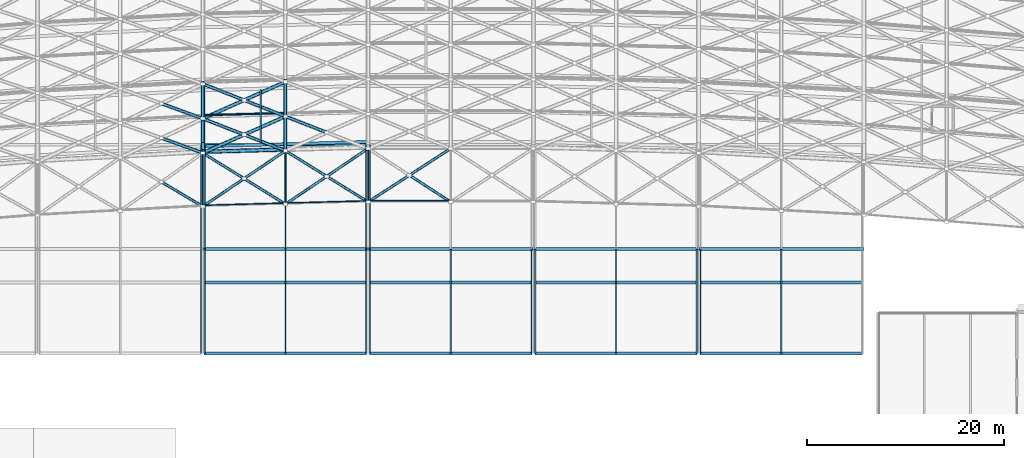
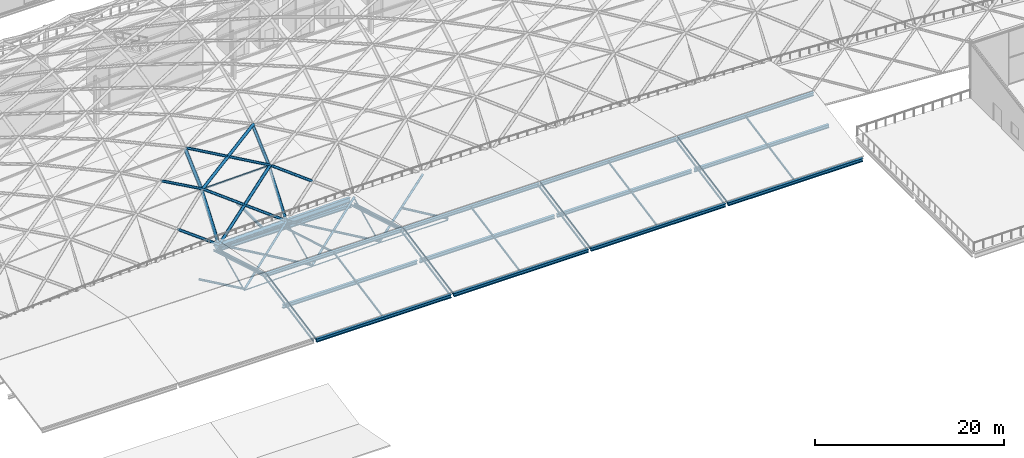
# One storey, part 17 of 100: 48 members, 15 beams.
"""IFC4 building model written with IfcOpenShell, lengths in metres."""

import ifcopenshell
import ifcopenshell.guid

model = None  # the IFC model being written
_history = None  # IfcOwnerHistory: only IFC2X3 demands one
_inside = {}  # id of a spatial element -> (the spatial element, [elements in it])
_under = {}  # id of a project, library or spatial element -> (it, [spatial elements below it])
_declared = {}  # id of a project -> (the project, [libraries it declares])
_typed = {}  # id of a type object -> (the type object, [elements of that type])
_made_of = {}  # id of a material, layer set ... -> (it, [elements and type objects made of it])


def new_model(schema):
    """Start an empty IFC model of exactly this schema.

    Asked for "IFC4X3", IfcOpenShell would pick the latest addendum, in which some entities
    have other attributes; the version numbers below select the first issue.
    IFC2X3 requires an IfcOwnerHistory on every rooted entity: one is made here for all.
    """
    global model, _history
    if schema == "IFC4X3":
        model = ifcopenshell.file(schema_version=(4, 3, 0, 0))
    else:
        model = ifcopenshell.file(schema=schema)
    _inside.clear()
    _under.clear()
    _declared.clear()
    _typed.clear()
    _made_of.clear()
    _history = None
    if model.schema == "IFC2X3":
        org = make("IfcOrganization", Name="unknown")
        user = make(
            "IfcPersonAndOrganization",
            ThePerson=make("IfcPerson", FamilyName="unknown"),
            TheOrganization=org,
        )
        app = make(
            "IfcApplication",
            ApplicationDeveloper=org,
            Version="unknown",
            ApplicationFullName="unknown",
            ApplicationIdentifier="unknown",
        )
        _history = make(
            "IfcOwnerHistory",
            OwningUser=user,
            OwningApplication=app,
            ChangeAction="ADDED",
            CreationDate=0,
        )
    return model


def make(cls, **values):
    """One entity of the class cls with the attributes given. An attribute that is None is left unset."""
    return model.create_entity(
        cls, **{name: value for name, value in values.items() if value is not None}
    )


def rooted(cls, **values):
    """An entity with a GlobalId (a new one), such as an element, a storey or a relation."""
    return make(cls, GlobalId=ifcopenshell.guid.new(), OwnerHistory=_history, **values)


def si_unit(unit_type, name, prefix=None):
    """IfcSIUnit, for example si_unit("LENGTHUNIT", "METRE", prefix="MILLI")."""
    return make("IfcSIUnit", UnitType=unit_type, Prefix=prefix, Name=name)


def assignment(units):
    """IfcUnitAssignment: the units of a project."""
    return None if units is None else make("IfcUnitAssignment", Units=units)


def point(xyz):
    """IfcCartesianPoint."""
    return None if xyz is None else make("IfcCartesianPoint", Coordinates=xyz)


def direction(xyz):
    """IfcDirection."""
    return None if xyz is None else make("IfcDirection", DirectionRatios=xyz)


def frame(location, z_axis=None, x_axis=None):
    """IfcAxis2Placement3D, a coordinate frame: its origin and axes. An axis left out is left unset."""
    return make(
        "IfcAxis2Placement3D",
        Location=point(location),
        Axis=direction(z_axis),
        RefDirection=direction(x_axis),
    )


def frame_2d(location, x_axis=None):
    """IfcAxis2Placement2D, a coordinate frame in the plane: its origin and x axis."""
    return make(
        "IfcAxis2Placement2D", Location=point(location), RefDirection=direction(x_axis)
    )


def origin():
    """The frame at (0, 0, 0) with its axes left unset."""
    return frame((0.0, 0.0, 0.0))


def origin_2d():
    """The frame at (0, 0) in the plane with its x axis left unset."""
    return frame_2d((0.0, 0.0))


def place(relative_to, where):
    """IfcLocalPlacement: puts the frame where relative to a parent placement (None: the world)."""
    return make(
        "IfcLocalPlacement", PlacementRelTo=relative_to, RelativePlacement=where
    )


def context(
    kind, dimensions, precision=None, world=None, true_north=None, identifier=None
):
    """IfcGeometricRepresentationContext, for example the 3D "Model" context."""
    return make(
        "IfcGeometricRepresentationContext",
        ContextIdentifier=identifier,
        ContextType=kind,
        CoordinateSpaceDimension=dimensions,
        Precision=precision,
        WorldCoordinateSystem=world,
        TrueNorth=true_north,
    )


def subcontext(parent, identifier, kind, view, scale=None):
    """IfcGeometricRepresentationSubContext, for example "Body" below "Model"."""
    return make(
        "IfcGeometricRepresentationSubContext",
        ContextIdentifier=identifier,
        ContextType=kind,
        ParentContext=parent,
        TargetScale=scale,
        TargetView=view,
    )


def project(units=None, contexts=None):
    """IfcProject with its units and contexts."""
    return rooted(
        "IfcProject",
        Name="project",
        RepresentationContexts=contexts,
        UnitsInContext=assignment(units),
    )


def spatial(cls, under=None, at=None, **own):
    """A site, building, storey or space (cls), placed at a placement, below another one or the project."""
    s = rooted(cls, ObjectPlacement=at, **own)
    if under is not None:
        _under.setdefault(under.id(), (under, []))[1].append(s)
    return s


def profile(cls, at=None, kind="AREA", **sizes):
    """A parametric profile (cls). Its sizes go by their IFC names, for example OverallWidth=200.0."""
    return make(cls, ProfileType=kind, Position=at, **sizes)


def hollow_circle(**sizes):
    """IfcCircleHollowProfileDef."""
    return profile("IfcCircleHollowProfileDef", **sizes)


def i_section(**sizes):
    """IfcIShapeProfileDef."""
    return profile("IfcIShapeProfileDef", **sizes)


def extrude(swept, where, along, depth):
    """IfcExtrudedAreaSolid: the profile swept, set in the frame where, extruded along a direction by depth."""
    return make(
        "IfcExtrudedAreaSolid",
        SweptArea=swept,
        Position=where,
        ExtrudedDirection=direction(along),
        Depth=depth,
    )


def shape(context_of_items, identifier, shape_type, items):
    """IfcShapeRepresentation: the items that make up one representation, for example the "Body"."""
    return make(
        "IfcShapeRepresentation",
        ContextOfItems=context_of_items,
        RepresentationIdentifier=identifier,
        RepresentationType=shape_type,
        Items=items,
    )


def material(Name=None, Category=None):
    """IfcMaterial."""
    return make("IfcMaterial", Name=Name, Category=Category)


def material_profile(
    of_material, cross_section, Name=None, Category=None, Priority=None
):
    """IfcMaterialProfile: a cross section and its material."""
    return make(
        "IfcMaterialProfile",
        Name=Name,
        Material=of_material,
        Profile=cross_section,
        Priority=Priority,
        Category=Category,
    )


def profile_set(profiles, Name=None, composite=None):
    """IfcMaterialProfileSet."""
    return make(
        "IfcMaterialProfileSet",
        Name=Name,
        MaterialProfiles=profiles,
        CompositeProfile=composite,
    )


def made_of(thing, what):
    """Note that an element or type object is made of a material, layer set ...; save() writes the relation."""
    if what is not None:
        _made_of.setdefault(what.id(), (what, []))[1].append(thing)
    return thing


def type_object(cls, material=None, **own):
    """A type object (cls), such as IfcWallType, which elements share."""
    return made_of(rooted(cls, **own), material)


def element(
    cls,
    number,
    at=None,
    inside=None,
    cuts=None,
    type_object=None,
    material=None,
    context=None,
    identifier="Body",
    shape_type=None,
    held_by="IfcProductDefinitionShape",
    body=None,
    shapes=None,
    **own,
):
    """One element of the class cls, such as IfcWall. Its Tag is "e" and its number.

    at: its placement. inside: the storey or other place that contains it. cuts: it is an
    opening in that element (IfcRelVoidsElement). A single representation is given by context,
    identifier, shape_type and body (its items); several are given by shapes. held_by: the class
    of the entity that holds the representations. save() writes the other relations.
    """
    e = rooted(cls, Tag="e%d" % number, ObjectPlacement=at, **own)
    if body is not None:
        shapes = [shape(context, identifier, shape_type, body)]
    if shapes is not None:
        e.Representation = make(held_by, Representations=shapes)
    if inside is not None:
        _inside.setdefault(inside.id(), (inside, []))[1].append(e)
    if cuts is not None:
        rooted(
            "IfcRelVoidsElement", RelatingBuildingElement=cuts, RelatedOpeningElement=e
        )
    if type_object is not None:
        _typed.setdefault(type_object.id(), (type_object, []))[1].append(e)
    return made_of(e, material)


def aggregate(whole, parts):
    """IfcRelAggregates: a whole, such as a stair, and the parts it consists of."""
    return rooted("IfcRelAggregates", RelatingObject=whole, RelatedObjects=parts)


def save(model, path):
    """Write the relations noted so far, then the file.

    IfcRelAggregates (storeys below a building ...), IfcRelContainedInSpatialStructure (elements
    in a storey), IfcRelDefinesByType, IfcRelAssociatesMaterial and IfcRelDeclares: one each for
    every whole, place, type object, material and project.
    """
    for whole, parts in _under.values():
        aggregate(whole, parts)
    for where, things in _inside.values():
        rooted(
            "IfcRelContainedInSpatialStructure",
            RelatedElements=things,
            RelatingStructure=where,
        )
    for kind, things in _typed.values():
        rooted("IfcRelDefinesByType", RelatedObjects=things, RelatingType=kind)
    for what, things in _made_of.values():
        rooted("IfcRelAssociatesMaterial", RelatedObjects=things, RelatingMaterial=what)
    for by, libraries in _declared.values():
        rooted("IfcRelDeclares", RelatingContext=by, RelatedDefinitions=libraries)
    model.write(path)


model = new_model("IFC4")

# Units and contexts
model_context = context("Model", 3, precision=1e-05, world=origin(), true_north=direction((0.0, 1.0)))
body_context = subcontext(model_context, "Body", "Model", "MODEL_VIEW")
ifc_project = project(units=[si_unit("LENGTHUNIT", "METRE"), si_unit("AREAUNIT", "SQUARE_METRE"), si_unit("VOLUMEUNIT", "CUBIC_METRE"), si_unit("PLANEANGLEUNIT", "RADIAN"), si_unit("MASSUNIT", "GRAM", prefix="KILO")], contexts=[model_context])

# Site, building, storey
site_placement = place(None, origin())
site = spatial("IfcSite", under=ifc_project, at=site_placement, CompositionType="ELEMENT")
building_placement = place(site_placement, origin())
building = spatial("IfcBuilding", under=site, at=building_placement, Name="Kimbaza Rail Terminus", CompositionType="ELEMENT")
storey_placement = place(building_placement, frame((0.0, 0.0, 10.800048828125)))
storey = spatial("IfcBuildingStorey", under=building, at=storey_placement, Name="L02", CompositionType="ELEMENT", Elevation=10.800048828125)

# Beams
ifc_material_1 = material(Name="Steel S355", Category="steel")
ifc_material_profile_1 = material_profile(ifc_material_1, i_section(OverallWidth=0.300048828125, OverallDepth=0.43994140625, WebThickness=0.011474609375, FlangeThickness=0.02099609375, FilletRadius=0.027099609375, at=origin_2d()), Name="HEA 450")
ifc_profile_set_1 = profile_set([ifc_material_profile_1], Name="Steel S355")
beam_type_1 = type_object("IfcBeamType", Name="STR-BM-HEA450", PredefinedType="SPANDREL", material=ifc_profile_set_1)
beam_1_placement = place(storey_placement, frame((88.946044921875, 33.800048828125, 0.0), z_axis=(1.0, 0.0, 0.0), x_axis=(0.0, 1.0, 0.0)))
element("IfcBeam", 1, at=beam_1_placement, inside=storey, type_object=beam_type_1, Name="Beam BM-SKYEDGE-34-2", PredefinedType="SPANDREL", context=body_context, shape_type="SweptSolid", body=[
    extrude(i_section(OverallWidth=0.300048828125, OverallDepth=0.43994140625, WebThickness=0.011474609375, FlangeThickness=0.02099609375, FilletRadius=0.027099609375, at=origin_2d()), origin(), (0.0, 0.0, 1.0), 16.508056640625),
])
beam_2_placement = place(storey_placement, frame((105.74609375, 33.800048828125, 0.0), z_axis=(1.0, 0.0, 0.0), x_axis=(0.0, 1.0, 0.0)))
element("IfcBeam", 2, at=beam_2_placement, inside=storey, type_object=beam_type_1, Name="Beam BM-SKYEDGE-34-3", PredefinedType="SPANDREL", context=body_context, shape_type="SweptSolid", body=[
    extrude(i_section(OverallWidth=0.300048828125, OverallDepth=0.43994140625, WebThickness=0.011474609375, FlangeThickness=0.02099609375, FilletRadius=0.027099609375, at=origin_2d()), origin(), (0.0, 0.0, 1.0), 16.5078125),
])
for number, where, z_axis, x_axis, name in (
    (3, (122.5458984375, 33.800048828125, 0.0), (1.0, 0.0, 0.0), (0.0, 1.0, 0.0), "Beam BM-SKYEDGE-34-4"),
    (4, (139.345947265625, 33.800048828125, 0.0), (1.0, 0.0, 0.0), (0.0, 1.0, 0.0), "Beam BM-SKYEDGE-34-5"),
    (5, (88.946044921875, 41.0, 0.0), (1.0, 0.0, 0.0), (0.0, 1.0, 0.0), "Beam BM-SKYEDGE-41-2"),
):
    element("IfcBeam", number, at=place(storey_placement, frame(where, z_axis=z_axis, x_axis=x_axis)), inside=storey, type_object=beam_type_1, Name=name, PredefinedType="SPANDREL", context=body_context, shape_type="SweptSolid", body=[
        extrude(i_section(OverallWidth=0.300048828125, OverallDepth=0.43994140625, WebThickness=0.011474609375, FlangeThickness=0.02099609375, FilletRadius=0.027099609375, at=origin_2d()), origin(), (0.0, 0.0, 1.0), 16.508056640625),
    ])
beam_3_placement = place(storey_placement, frame((105.74609375, 41.0, 0.0), z_axis=(1.0, 0.0, 0.0), x_axis=(0.0, 1.0, 0.0)))
element("IfcBeam", 6, at=beam_3_placement, inside=storey, type_object=beam_type_1, Name="Beam BM-SKYEDGE-41-3", PredefinedType="SPANDREL", context=body_context, shape_type="SweptSolid", body=[
    extrude(i_section(OverallWidth=0.300048828125, OverallDepth=0.43994140625, WebThickness=0.011474609375, FlangeThickness=0.02099609375, FilletRadius=0.027099609375, at=origin_2d()), origin(), (0.0, 0.0, 1.0), 16.5078125),
])
for number, where, z_axis, x_axis, name in (
    (7, (122.5458984375, 41.0, 0.0), (1.0, 0.0, 0.0), (0.0, 1.0, 0.0), "Beam BM-SKYEDGE-41-4"),
    (8, (139.345947265625, 41.0, 0.0), (1.0, 0.0, 0.0), (0.0, 1.0, 0.0), "Beam BM-SKYEDGE-41-5"),
    (9, (88.946044921875, 55.0, -1.179931640625), (1.0, 0.0, 0.0), (0.0, 1.0, 0.0), "Beam BM-SKYEDGE-55-2"),
):
    element("IfcBeam", number, at=place(storey_placement, frame(where, z_axis=z_axis, x_axis=x_axis)), inside=storey, type_object=beam_type_1, Name=name, PredefinedType="SPANDREL", context=body_context, shape_type="SweptSolid", body=[
        extrude(i_section(OverallWidth=0.300048828125, OverallDepth=0.43994140625, WebThickness=0.011474609375, FlangeThickness=0.02099609375, FilletRadius=0.027099609375, at=origin_2d()), origin(), (0.0, 0.0, 1.0), 16.508056640625),
    ])
beam_4_placement = place(storey_placement, frame((88.85009765625, 44.39990234375, 2.050048828125), z_axis=(1.0, 0.0, 0.0), x_axis=(0.0, 1.0, 0.0)))
element("IfcBeam", 10, at=beam_4_placement, inside=storey, type_object=beam_type_1, Name="Beam BM-SKYRIDGE-2", PredefinedType="SPANDREL", context=body_context, shape_type="SweptSolid", body=[
    extrude(i_section(OverallWidth=0.300048828125, OverallDepth=0.43994140625, WebThickness=0.011474609375, FlangeThickness=0.02099609375, FilletRadius=0.027099609375, at=origin_2d()), origin(), (0.0, 0.0, 1.0), 16.699951171875),
])
beam_5_placement = place(storey_placement, frame((105.64990234375, 44.39990234375, 2.050048828125), z_axis=(1.0, 0.0, 0.0), x_axis=(0.0, 1.0, 0.0)))
element("IfcBeam", 11, at=beam_5_placement, inside=storey, type_object=beam_type_1, Name="Beam BM-SKYRIDGE-3", PredefinedType="SPANDREL", context=body_context, shape_type="SweptSolid", body=[
    extrude(i_section(OverallWidth=0.300048828125, OverallDepth=0.43994140625, WebThickness=0.011474609375, FlangeThickness=0.02099609375, FilletRadius=0.027099609375, at=origin_2d()), origin(), (0.0, 0.0, 1.0), 16.7001953125),
])
for number, where, z_axis, x_axis, name in (
    (12, (122.449951171875, 44.39990234375, 2.050048828125), (1.0, 0.0, 0.0), (0.0, 1.0, 0.0), "Beam BM-SKYRIDGE-4"),
    (13, (139.25, 44.39990234375, 2.050048828125), (1.0, 0.0, 0.0), (0.0, 1.0, 0.0), "Beam BM-SKYRIDGE-5"),
):
    element("IfcBeam", number, at=place(storey_placement, frame(where, z_axis=z_axis, x_axis=x_axis)), inside=storey, type_object=beam_type_1, Name=name, PredefinedType="SPANDREL", context=body_context, shape_type="SweptSolid", body=[
        extrude(i_section(OverallWidth=0.300048828125, OverallDepth=0.43994140625, WebThickness=0.011474609375, FlangeThickness=0.02099609375, FilletRadius=0.027099609375, at=origin_2d()), origin(), (0.0, 0.0, 1.0), 16.699951171875),
    ])
ifc_material_2 = material(Name="Steel S355", Category="steel")
ifc_material_profile_2 = material_profile(ifc_material_2, i_section(OverallWidth=0.300048828125, OverallDepth=0.64990234375, WebThickness=0.01611328125, FlangeThickness=0.031005859375, FilletRadius=0.027099609375, at=origin_2d()), Name="HEB 650")
ifc_profile_set_2 = profile_set([ifc_material_profile_2], Name="Steel S355")
beam_type_2 = type_object("IfcBeamType", Name="STR-BM-HEB650", PredefinedType="USERDEFINED", material=ifc_profile_set_2)
beam_6_placement = place(storey_placement, frame((88.945068359375, 54.841552734375, -0.5849609375), z_axis=(0.999632852013, 0.027095408765, 0.0), x_axis=(-0.027095408765, 0.999632852013, 0.0)))
element("IfcBeam", 14, at=beam_6_placement, inside=storey, type_object=beam_type_2, Name="Viaduct Chorded Girder P1 Bay 05", ObjectType="GIRDER", PredefinedType="USERDEFINED", context=body_context, shape_type="SweptSolid", body=[
    extrude(i_section(OverallWidth=0.300048828125, OverallDepth=0.64990234375, WebThickness=0.01611328125, FlangeThickness=0.031005859375, FilletRadius=0.027099609375, at=origin_2d()), origin(), (0.0, 0.0, 1.0), 16.51611328125),
])
ifc_material_3 = material(Name="Steel S355", Category="steel")
ifc_material_profile_3 = material_profile(ifc_material_3, i_section(OverallWidth=0.169921875, OverallDepth=0.360107421875, WebThickness=0.008056640625, FlangeThickness=0.0126953125, FilletRadius=0.01806640625, at=origin_2d()), Name="IPE 360")
ifc_profile_set_3 = profile_set([ifc_material_profile_3], Name="Steel S355")
beam_type_3 = type_object("IfcBeamType", Name="STR-BM-IPE360", PredefinedType="JOIST", material=ifc_profile_set_3)
beam_7_placement = place(storey_placement, frame((94.679931640625, 55.21044921875, -0.43994140625), z_axis=(0.0, 1.0, 0.0), x_axis=(-1.0, 0.0, 0.0)))
element("IfcBeam", 15, at=beam_7_placement, inside=storey, type_object=beam_type_3, Name="Viaduct Diaphragm P1 Bay 05", PredefinedType="JOIST", context=body_context, shape_type="SweptSolid", body=[
    extrude(i_section(OverallWidth=0.169921875, OverallDepth=0.360107421875, WebThickness=0.008056640625, FlangeThickness=0.0126953125, FilletRadius=0.01806640625, at=origin_2d()), origin(), (0.0, 0.0, 1.0), 5.409912109375),
])

# Members
ifc_material_4 = material(Name="White painted steel S355", Category="steel")
ifc_material_profile_4 = material_profile(ifc_material_4, hollow_circle(Radius=0.06982421875, WallThickness=0.00634765625, at=origin_2d()), Name="CHS 139.7x6.3")
ifc_profile_set_4 = profile_set([ifc_material_profile_4], Name="White painted steel S355")
member_type_1 = type_object("IfcMemberType", Name="STR-MB-CHS139", PredefinedType="COLLAR", material=ifc_profile_set_4)
member_1_placement = place(storey_placement, frame((88.800048828125, 48.845458984375, -2.62744140625), z_axis=(0.999632526959, 0.027107398351, 0.0), x_axis=(-0.027107398351, 0.999632526959, 0.0)))
element("IfcMember", 16, at=member_1_placement, inside=storey, type_object=member_type_1, Name="Vault lattice longitudinal purlin VR-08-VA00", PredefinedType="COLLAR", context=body_context, shape_type="SweptSolid", body=[
    extrude(hollow_circle(Radius=0.06982421875, WallThickness=0.00634765625, at=origin_2d()), origin(), (0.0, 0.0, 1.0), 8.403076171875),
])
member_2_placement = place(storey_placement, frame((97.199951171875, 49.0732421875, -2.62744140625), z_axis=(0.999632548307, 0.027106611084, 0.0), x_axis=(-0.027106611084, 0.999632548307, 0.0)))
element("IfcMember", 17, at=member_2_placement, inside=storey, type_object=member_type_1, Name="Vault lattice longitudinal purlin VR-09-VA00", PredefinedType="COLLAR", context=body_context, shape_type="SweptSolid", body=[
    extrude(hollow_circle(Radius=0.06982421875, WallThickness=0.00634765625, at=origin_2d()), origin(), (0.0, 0.0, 1.0), 8.4033203125),
])
member_3_placement = place(storey_placement, frame((105.60009765625, 49.301025390625, -2.62744140625), z_axis=(1.0, 0.0, 0.0), x_axis=(0.0, 1.0, 0.0)))
element("IfcMember", 18, at=member_3_placement, inside=storey, type_object=member_type_1, Name="Vault lattice longitudinal purlin VR-10-VA00", PredefinedType="COLLAR", context=body_context, shape_type="SweptSolid", body=[
    extrude(hollow_circle(Radius=0.06982421875, WallThickness=0.00634765625, at=origin_2d()), origin(), (0.0, 0.0, 1.0), 8.39990234375),
])
ifc_material_5 = material(Name="White painted steel S355", Category="steel")
ifc_material_profile_5 = material_profile(ifc_material_5, hollow_circle(Radius=0.084228515625, WallThickness=0.00634765625, at=origin_2d()), Name="CHS 168.3x6.3")
ifc_profile_set_5 = profile_set([ifc_material_profile_5], Name="White painted steel S355")
member_type_2 = type_object("IfcMemberType", Name="STR-MB-CHS168", PredefinedType="RAFTER", material=ifc_profile_set_5)
for number, where, z_axis, x_axis, name in (
    (19, (88.800048828125, 48.837158203125, -2.609375), (0.0, 0.901963905621, 0.431811432174), (-1.0, 0.0, 0.0), "Vault lattice arch chord VR-08 seg 1"),
    (20, (97.199951171875, 49.06494140625, -2.609375), (0.0, 0.901963905621, 0.431811432174), (-1.0, 0.0, 0.0), "Vault lattice arch chord VR-09 seg 1"),
    (21, (105.60009765625, 49.292724609375, -2.609375), (0.0, 0.901963905621, 0.431811432174), (-1.0, 0.0, 0.0), "Vault lattice arch chord VR-10 seg 1"),
):
    element("IfcMember", number, at=place(storey_placement, frame(where, z_axis=z_axis, x_axis=x_axis)), inside=storey, type_object=member_type_2, Name=name, PredefinedType="RAFTER", context=body_context, shape_type="SweptSolid", body=[
        extrude(hollow_circle(Radius=0.084228515625, WallThickness=0.00634765625, at=origin_2d()), origin(), (0.0, 0.0, 1.0), 6.04296875),
    ])
ifc_material_6 = material(Name="White painted steel S355", Category="steel")
ifc_material_profile_6 = material_profile(ifc_material_6, hollow_circle(Radius=0.109619140625, WallThickness=0.008056640625, at=origin_2d()), Name="CHS 219.1x8")
ifc_profile_set_6 = profile_set([ifc_material_profile_6], Name="White painted steel S355")
member_type_3 = type_object("IfcMemberType", Name="STR-MB-CHS219", PredefinedType="PURLIN", material=ifc_profile_set_6)
member_4_placement = place(storey_placement, frame((88.800048828125, 58.00244140625, 4.85205078125), z_axis=(0.999632526959, 0.027107398351, 0.0), x_axis=(-0.027107398351, 0.999632526959, 0.0)))
element("IfcMember", 22, at=member_4_placement, inside=storey, type_object=member_type_3, Name="Vault lattice longitudinal purlin VR-08-VA02", PredefinedType="PURLIN", context=body_context, shape_type="SweptSolid", body=[
    extrude(hollow_circle(Radius=0.109619140625, WallThickness=0.008056640625, at=origin_2d()), origin(), (0.0, 0.0, 1.0), 8.403076171875),
])
ifc_material_7 = material(Name="White painted steel S355", Category="steel")
ifc_material_profile_7 = material_profile(ifc_material_7, hollow_circle(Radius=0.136474609375, WallThickness=0.010009765625, at=origin_2d()), Name="CHS 273x10")
ifc_profile_set_7 = profile_set([ifc_material_profile_7], Name="White painted steel S355")
member_type_4 = type_object("IfcMemberType", Name="STR-MB-CHS273", PredefinedType="STRUT", material=ifc_profile_set_7)
member_5_placement = place(storey_placement, frame((88.800048828125, 48.729736328125, -2.37255859375), z_axis=(-0.834702857334, 0.494620759615, 0.2421186571), x_axis=(-0.509788682269, -0.860299656765, 0.0)))
element("IfcMember", 23, at=member_5_placement, inside=storey, type_object=member_type_4, Name="Vault lattice diagonal B1 VR-07-VA00", PredefinedType="STRUT", context=body_context, shape_type="SweptSolid", body=[
    extrude(hollow_circle(Radius=0.136474609375, WallThickness=0.010009765625, at=origin_2d()), origin(), (0.0, 0.0, 1.0), 5.03173828125),
])
member_6_placement = place(storey_placement, frame((88.800048828125, 48.729736328125, -2.37255859375), z_axis=(0.806250663564, 0.54337442268, 0.233889085422), x_axis=(-0.5588758014, 0.829251372389, 0.0)))
element("IfcMember", 24, at=member_6_placement, inside=storey, type_object=member_type_4, Name="Vault lattice diagonal A VR-08-VA00", PredefinedType="STRUT", context=body_context, shape_type="SweptSolid", body=[
    extrude(hollow_circle(Radius=0.136474609375, WallThickness=0.010009765625, at=origin_2d()), origin(), (0.0, 0.0, 1.0), 10.41845703125),
])
for number, where, z_axis, x_axis, name in (
    (25, (97.199951171875, 48.95751953125, -2.37255859375), (-0.825294943051, 0.511449711554, 0.239389743988), (-0.526766199767, -0.850010218046, 0.0), "Vault lattice diagonal B1 VR-08-VA00"),
    (26, (93.0, 51.560302734375, -1.154296875), (-0.825265215061, 0.511479260767, 0.239429093087), (-0.526801898376, -0.849988093956, 0.0), "Vault lattice diagonal B2 VR-08-VA00"),
):
    element("IfcMember", number, at=place(storey_placement, frame(where, z_axis=z_axis, x_axis=x_axis)), inside=storey, type_object=member_type_4, Name=name, PredefinedType="STRUT", context=body_context, shape_type="SweptSolid", body=[
        extrude(hollow_circle(Radius=0.136474609375, WallThickness=0.010009765625, at=origin_2d()), origin(), (0.0, 0.0, 1.0), 5.089111328125),
    ])
member_7_placement = place(storey_placement, frame((97.199951171875, 48.95751953125, -2.37255859375), z_axis=(0.806258864093, 0.543364156729, 0.233884666565), x_axis=(-0.558864631564, 0.829258900216, 0.0)))
element("IfcMember", 27, at=member_7_placement, inside=storey, type_object=member_type_4, Name="Vault lattice diagonal A VR-09-VA00", PredefinedType="STRUT", context=body_context, shape_type="SweptSolid", body=[
    extrude(hollow_circle(Radius=0.136474609375, WallThickness=0.010009765625, at=origin_2d()), origin(), (0.0, 0.0, 1.0), 10.418701171875),
])
for number, where, z_axis, x_axis, name in (
    (28, (105.60009765625, 49.185302734375, -2.37255859375), (-0.825310240454, 0.511429462537, 0.239380266209), (-0.526744076602, -0.85002392776, 0.0), "Vault lattice diagonal B1 VR-09-VA00"),
    (29, (101.39990234375, 51.7880859375, -1.154296875), (-0.825285464198, 0.511443837343, 0.239434967844), (-0.526766199767, -0.850010218046, 0.0), "Vault lattice diagonal B2 VR-09-VA00"),
):
    element("IfcMember", number, at=place(storey_placement, frame(where, z_axis=z_axis, x_axis=x_axis)), inside=storey, type_object=member_type_4, Name=name, PredefinedType="STRUT", context=body_context, shape_type="SweptSolid", body=[
        extrude(hollow_circle(Radius=0.136474609375, WallThickness=0.010009765625, at=origin_2d()), origin(), (0.0, 0.0, 1.0), 5.089111328125),
    ])
member_8_placement = place(storey_placement, frame((105.60009765625, 49.185302734375, -2.37255859375), z_axis=(0.815803362822, 0.527690049398, 0.236660273334), x_axis=(-0.543118714123, 0.839655919034, 0.0)))
element("IfcMember", 30, at=member_8_placement, inside=storey, type_object=member_type_4, Name="Vault lattice diagonal A VR-10-VA00", PredefinedType="STRUT", context=body_context, shape_type="SweptSolid", body=[
    extrude(hollow_circle(Radius=0.136474609375, WallThickness=0.010009765625, at=origin_2d()), origin(), (0.0, 0.0, 1.0), 10.29638671875),
])
member_9_placement = place(storey_placement, frame((114.0, 49.185302734375, -2.37255859375), z_axis=(-0.815818148035, 0.527675901481, 0.236640850938), x_axis=(-0.543101508179, -0.839667048189, 0.0)))
element("IfcMember", 31, at=member_9_placement, inside=storey, type_object=member_type_4, Name="Vault lattice diagonal B1 VR-10-VA00", PredefinedType="STRUT", context=body_context, shape_type="SweptSolid", body=[
    extrude(hollow_circle(Radius=0.136474609375, WallThickness=0.010009765625, at=origin_2d()), origin(), (0.0, 0.0, 1.0), 5.148193359375),
])
ifc_material_8 = material(Name="White painted steel S355", Category="steel")
ifc_material_profile_8 = material_profile(ifc_material_8, hollow_circle(Radius=0.161865234375, WallThickness=0.010009765625, at=origin_2d()), Name="CHS 323.9x10")
ifc_profile_set_8 = profile_set([ifc_material_profile_8], Name="White painted steel S355")
member_type_5 = type_object("IfcMemberType", Name="STR-MB-CHS323", PredefinedType="STRUT", material=ifc_profile_set_8)
member_10_placement = place(storey_placement, frame((88.800048828125, 54.163330078125, 0.064208984375), z_axis=(-0.816578115459, 0.295056069621, 0.496127097761), x_axis=(-0.339828506606, -0.940487419426, 0.0)))
element("IfcMember", 32, at=member_10_placement, inside=storey, type_object=member_type_5, Name="Vault lattice diagonal B1 VR-07-VA01", PredefinedType="STRUT", context=body_context, shape_type="SweptSolid", body=[
    extrude(hollow_circle(Radius=0.161865234375, WallThickness=0.010009765625, at=origin_2d()), origin(), (0.0, 0.0, 1.0), 5.143310546875),
])
member_11_placement = place(storey_placement, frame((88.800048828125, 57.654296875, 5.167724609375), z_axis=(-0.884851359473, 0.323480218551, 0.33525903395), x_axis=(-0.343351337448, -0.939207037385, 0.0)))
element("IfcMember", 33, at=member_11_placement, inside=storey, type_object=member_type_5, Name="Vault lattice diagonal B1 VR-07-VA02", PredefinedType="STRUT", context=body_context, shape_type="SweptSolid", body=[
    extrude(hollow_circle(Radius=0.161865234375, WallThickness=0.010009765625, at=origin_2d()), origin(), (0.0, 0.0, 1.0), 4.74658203125),
])
for number, where, z_axis, x_axis, name in (
    (34, (97.199951171875, 54.390869140625, 0.064208984375), (-0.811080338373, 0.315134626617, 0.492786821873), (-0.362161237098, -0.932115464062, 0.0), "Vault lattice diagonal B1 VR-08-VA01"),
    (35, (93.0, 56.022705078125, 2.615966796875), (-0.811092388646, 0.315092160281, 0.492794143238), (-0.362114159127, -0.932133754222, 0.0), "Vault lattice diagonal B2 VR-08-VA01"),
):
    element("IfcMember", number, at=place(storey_placement, frame(where, z_axis=z_axis, x_axis=x_axis)), inside=storey, type_object=member_type_5, Name=name, PredefinedType="STRUT", context=body_context, shape_type="SweptSolid", body=[
        extrude(hollow_circle(Radius=0.161865234375, WallThickness=0.010009765625, at=origin_2d()), origin(), (0.0, 0.0, 1.0), 5.17822265625),
    ])
for number, where, z_axis, x_axis, name in (
    (36, (97.199951171875, 57.882080078125, 5.167724609375), (-0.877805691192, 0.34473378188, 0.33258951899), (-0.365543559049, -0.93079423421, 0.0), "Vault lattice diagonal B1 VR-08-VA02"),
    (37, (93.0, 59.531494140625, 6.759033203125), (-0.877805691192, 0.34473378188, 0.33258951899), (-0.365543559049, -0.93079423421, 0.0), "Vault lattice diagonal B2 VR-08-VA02"),
):
    element("IfcMember", number, at=place(storey_placement, frame(where, z_axis=z_axis, x_axis=x_axis)), inside=storey, type_object=member_type_5, Name=name, PredefinedType="STRUT", context=body_context, shape_type="SweptSolid", body=[
        extrude(hollow_circle(Radius=0.161865234375, WallThickness=0.010009765625, at=origin_2d()), origin(), (0.0, 0.0, 1.0), 4.78466796875),
    ])
member_12_placement = place(storey_placement, frame((101.39990234375, 56.250244140625, 2.615966796875), z_axis=(-0.811080338373, 0.315134626617, 0.492786821873), x_axis=(-0.362161237098, -0.932115464062, 0.0)))
element("IfcMember", 38, at=member_12_placement, inside=storey, type_object=member_type_5, Name="Vault lattice diagonal B2 VR-09-VA01", PredefinedType="STRUT", context=body_context, shape_type="SweptSolid", body=[
    extrude(hollow_circle(Radius=0.161865234375, WallThickness=0.010009765625, at=origin_2d()), origin(), (0.0, 0.0, 1.0), 5.17822265625),
])
ifc_material_9 = material(Name="White painted steel S355", Category="steel")
ifc_material_profile_9 = material_profile(ifc_material_9, hollow_circle(Radius=0.177734375, WallThickness=0.012451171875, at=origin_2d()), Name="CHS 355.6x12.5")
ifc_profile_set_9 = profile_set([ifc_material_profile_9], Name="White painted steel S355")
member_type_6 = type_object("IfcMemberType", Name="STR-MB-CHS355", PredefinedType="CHORD", material=ifc_profile_set_9)
member_13_placement = place(storey_placement, frame((97.199951171875, 54.515380859375, 0.0), z_axis=(0.0, 0.585733481953, 0.810503724926), x_axis=(-1.0, 0.0, 0.0)))
element("IfcMember", 39, at=member_13_placement, inside=storey, type_object=member_type_6, Name="Vault lattice arch chord VR-09 seg 2", PredefinedType="CHORD", context=body_context, shape_type="SweptSolid", body=[
    extrude(hollow_circle(Radius=0.177734375, WallThickness=0.012451171875, at=origin_2d()), origin(), (0.0, 0.0, 1.0), 6.127197265625),
])
member_14_placement = place(storey_placement, frame((97.199951171875, 58.104248046875, 4.966064453125), z_axis=(0.0, 0.742379857618, 0.669979213859), x_axis=(-1.0, 0.0, 0.0)))
element("IfcMember", 40, at=member_14_placement, inside=storey, type_object=member_type_6, Name="Vault lattice arch chord VR-09 seg 3", PredefinedType="CHORD", context=body_context, shape_type="SweptSolid", body=[
    extrude(hollow_circle(Radius=0.177734375, WallThickness=0.012451171875, at=origin_2d()), origin(), (0.0, 0.0, 1.0), 4.690673828125),
])
member_15_placement = place(storey_placement, frame((88.800048828125, 54.163330078125, 0.064208984375), z_axis=(0.799326382946, 0.353872564815, 0.485645489423), x_axis=(-0.40481632977, 0.914398020094, 0.0)))
element("IfcMember", 41, at=member_15_placement, inside=storey, type_object=member_type_6, Name="Vault lattice diagonal A VR-08-VA01", PredefinedType="CHORD", context=body_context, shape_type="SweptSolid", body=[
    extrude(hollow_circle(Radius=0.177734375, WallThickness=0.012451171875, at=origin_2d()), origin(), (0.0, 0.0, 1.0), 10.5087890625),
])
member_16_placement = place(storey_placement, frame((88.800048828125, 57.654296875, 5.167724609375), z_axis=(0.862798267036, 0.385633661294, 0.326903395021), x_axis=(-0.408053007434, 0.912958237338, 0.0)))
element("IfcMember", 42, at=member_16_placement, inside=storey, type_object=member_type_6, Name="Vault lattice diagonal A VR-08-VA02", PredefinedType="CHORD", context=body_context, shape_type="SweptSolid", body=[
    extrude(hollow_circle(Radius=0.177734375, WallThickness=0.012451171875, at=origin_2d()), origin(), (0.0, 0.0, 1.0), 9.735595703125),
])
ifc_material_10 = material(Name="White painted steel S355", Category="steel")
ifc_material_profile_10 = material_profile(ifc_material_10, hollow_circle(Radius=0.203125, WallThickness=0.01416015625, at=origin_2d()), Name="CHS 406.4x14.2")
ifc_profile_set_10 = profile_set([ifc_material_profile_10], Name="White painted steel S355")
member_type_7 = type_object("IfcMemberType", Name="STR-MB-CHS406", PredefinedType="CHORD", material=ifc_profile_set_10)
member_17_placement = place(storey_placement, frame((88.800048828125, 54.28759765625, 0.0), z_axis=(0.0, 0.585733481953, 0.810503724926), x_axis=(-1.0, 0.0, 0.0)))
element("IfcMember", 43, at=member_17_placement, inside=storey, type_object=member_type_7, Name="Vault lattice arch chord VR-08 seg 2", PredefinedType="CHORD", context=body_context, shape_type="SweptSolid", body=[
    extrude(hollow_circle(Radius=0.203125, WallThickness=0.01416015625, at=origin_2d()), origin(), (0.0, 0.0, 1.0), 6.127197265625),
])
member_18_placement = place(storey_placement, frame((88.800048828125, 57.87646484375, 4.966064453125), z_axis=(0.0, 0.742403219767, 0.669953326195), x_axis=(-1.0, 0.0, 0.0)))
element("IfcMember", 44, at=member_18_placement, inside=storey, type_object=member_type_7, Name="Vault lattice arch chord VR-08 seg 3", PredefinedType="CHORD", context=body_context, shape_type="SweptSolid", body=[
    extrude(hollow_circle(Radius=0.203125, WallThickness=0.01416015625, at=origin_2d()), origin(), (0.0, 0.0, 1.0), 4.690673828125),
])
member_19_placement = place(storey_placement, frame((88.800048828125, 54.28759765625, 0.0), z_axis=(0.999632526959, 0.027107398351, 0.0), x_axis=(-0.027107398351, 0.999632526959, 0.0)))
element("IfcMember", 45, at=member_19_placement, inside=storey, type_object=member_type_7, Name="Vault lattice springing ring chord VR-08", PredefinedType="CHORD", context=body_context, shape_type="SweptSolid", body=[
    extrude(hollow_circle(Radius=0.203125, WallThickness=0.01416015625, at=origin_2d()), origin(), (0.0, 0.0, 1.0), 8.403076171875),
])
ifc_material_11 = material(Name="Steel S355", Category="steel")
ifc_material_profile_11 = material_profile(ifc_material_11, i_section(OverallWidth=0.304931640625, OverallDepth=0.6201171875, WebThickness=0.02099609375, FlangeThickness=0.0400390625, FilletRadius=0.027099609375, at=origin_2d()), Name="HEM 600")
ifc_profile_set_11 = profile_set([ifc_material_profile_11], Name="Steel S355")
member_type_8 = type_object("IfcMemberType", Name="STR-MB-HEM600", PredefinedType="POST", material=ifc_profile_set_11)
member_20_placement = place(storey_placement, frame((88.800048828125, 55.0, -0.900146484375), z_axis=(0.0, -0.620588542135, 0.784136379319), x_axis=(1.0, 0.0, 0.0)))
element("IfcMember", 46, at=member_20_placement, inside=storey, type_object=member_type_8, Name="Vault Springing Shoe Pedestal S VP-05", PredefinedType="POST", context=body_context, shape_type="SweptSolid", body=[
    extrude(i_section(OverallWidth=0.304931640625, OverallDepth=0.6201171875, WebThickness=0.02099609375, FlangeThickness=0.0400390625, FilletRadius=0.027099609375, at=origin_2d()), origin(), (0.0, 0.0, 1.0), 1.14794921875),
])
ifc_material_12 = material(Name="Steel S355", Category="steel")
ifc_material_profile_12 = material_profile(ifc_material_12, i_section(OverallWidth=0.1201171875, OverallDepth=0.239990234375, WebThickness=0.006103515625, FlangeThickness=0.009765625, FilletRadius=0.014892578125, at=origin_2d()), Name="IPE 240")
ifc_profile_set_12 = profile_set([ifc_material_profile_12], Name="Steel S355")
member_type_9 = type_object("IfcMemberType", Name="STR-MB-IPE240", PredefinedType="PURLIN", material=ifc_profile_set_12)
member_21_placement = place(storey_placement, frame((88.60009765625, 33.800048828125, 0.0), z_axis=(0.0, 0.981806378317, 0.189884795327), x_axis=(-1.0, 0.0, 0.0)))
element("IfcMember", 47, at=member_21_placement, inside=storey, type_object=member_type_9, Name="Concourse Roof Rafter S2", PredefinedType="PURLIN", context=body_context, shape_type="SweptSolid", body=[
    extrude(i_section(OverallWidth=0.1201171875, OverallDepth=0.239990234375, WebThickness=0.006103515625, FlangeThickness=0.009765625, FilletRadius=0.014892578125, at=origin_2d()), origin(), (0.0, 0.0, 1.0), 10.79638671875),
])
member_22_placement = place(storey_placement, frame((88.60009765625, 44.39990234375, 2.050048828125), z_axis=(0.0, 0.959059986523, -0.283203005371), x_axis=(-1.0, 0.0, 0.0)))
element("IfcMember", 48, at=member_22_placement, inside=storey, type_object=member_type_9, Name="Concourse Roof Rafter N2", PredefinedType="PURLIN", context=body_context, shape_type="SweptSolid", body=[
    extrude(i_section(OverallWidth=0.1201171875, OverallDepth=0.239990234375, WebThickness=0.006103515625, FlangeThickness=0.009765625, FilletRadius=0.014892578125, at=origin_2d()), origin(), (0.0, 0.0, 1.0), 11.052490234375),
])
member_23_placement = place(storey_placement, frame((89.0, 33.800048828125, 0.0), z_axis=(0.0, 0.981806378317, 0.189884795327), x_axis=(-1.0, 0.0, 0.0)))
element("IfcMember", 49, at=member_23_placement, inside=storey, type_object=member_type_9, Name="Concourse Roof Rafter S3", PredefinedType="PURLIN", context=body_context, shape_type="SweptSolid", body=[
    extrude(i_section(OverallWidth=0.1201171875, OverallDepth=0.239990234375, WebThickness=0.006103515625, FlangeThickness=0.009765625, FilletRadius=0.014892578125, at=origin_2d()), origin(), (0.0, 0.0, 1.0), 10.79638671875),
])
member_24_placement = place(storey_placement, frame((89.0, 44.39990234375, 2.050048828125), z_axis=(0.0, 0.959059986523, -0.283203005371), x_axis=(-1.0, 0.0, 0.0)))
element("IfcMember", 50, at=member_24_placement, inside=storey, type_object=member_type_9, Name="Concourse Roof Rafter N3", PredefinedType="PURLIN", context=body_context, shape_type="SweptSolid", body=[
    extrude(i_section(OverallWidth=0.1201171875, OverallDepth=0.239990234375, WebThickness=0.006103515625, FlangeThickness=0.009765625, FilletRadius=0.014892578125, at=origin_2d()), origin(), (0.0, 0.0, 1.0), 11.052490234375),
])
member_25_placement = place(storey_placement, frame((97.199951171875, 33.800048828125, 0.0), z_axis=(0.0, 0.981806378317, 0.189884795327), x_axis=(-1.0, 0.0, 0.0)))
element("IfcMember", 51, at=member_25_placement, inside=storey, type_object=member_type_9, Name="Concourse Roof Rafter S3", PredefinedType="PURLIN", context=body_context, shape_type="SweptSolid", body=[
    extrude(i_section(OverallWidth=0.1201171875, OverallDepth=0.239990234375, WebThickness=0.006103515625, FlangeThickness=0.009765625, FilletRadius=0.014892578125, at=origin_2d()), origin(), (0.0, 0.0, 1.0), 10.79638671875),
])
member_26_placement = place(storey_placement, frame((97.199951171875, 44.39990234375, 2.050048828125), z_axis=(0.0, 0.959059986523, -0.283203005371), x_axis=(-1.0, 0.0, 0.0)))
element("IfcMember", 52, at=member_26_placement, inside=storey, type_object=member_type_9, Name="Concourse Roof Rafter N3", PredefinedType="PURLIN", context=body_context, shape_type="SweptSolid", body=[
    extrude(i_section(OverallWidth=0.1201171875, OverallDepth=0.239990234375, WebThickness=0.006103515625, FlangeThickness=0.009765625, FilletRadius=0.014892578125, at=origin_2d()), origin(), (0.0, 0.0, 1.0), 11.052490234375),
])
member_27_placement = place(storey_placement, frame((105.39990234375, 33.800048828125, 0.0), z_axis=(0.0, 0.981806378317, 0.189884795327), x_axis=(-1.0, 0.0, 0.0)))
element("IfcMember", 53, at=member_27_placement, inside=storey, type_object=member_type_9, Name="Concourse Roof Rafter S3", PredefinedType="PURLIN", context=body_context, shape_type="SweptSolid", body=[
    extrude(i_section(OverallWidth=0.1201171875, OverallDepth=0.239990234375, WebThickness=0.006103515625, FlangeThickness=0.009765625, FilletRadius=0.014892578125, at=origin_2d()), origin(), (0.0, 0.0, 1.0), 10.79638671875),
])
member_28_placement = place(storey_placement, frame((105.39990234375, 44.39990234375, 2.050048828125), z_axis=(0.0, 0.959059986523, -0.283203005371), x_axis=(-1.0, 0.0, 0.0)))
element("IfcMember", 54, at=member_28_placement, inside=storey, type_object=member_type_9, Name="Concourse Roof Rafter N3", PredefinedType="PURLIN", context=body_context, shape_type="SweptSolid", body=[
    extrude(i_section(OverallWidth=0.1201171875, OverallDepth=0.239990234375, WebThickness=0.006103515625, FlangeThickness=0.009765625, FilletRadius=0.014892578125, at=origin_2d()), origin(), (0.0, 0.0, 1.0), 11.052490234375),
])
member_29_placement = place(storey_placement, frame((105.800048828125, 33.800048828125, 0.0), z_axis=(0.0, 0.981806378317, 0.189884795327), x_axis=(-1.0, 0.0, 0.0)))
element("IfcMember", 55, at=member_29_placement, inside=storey, type_object=member_type_9, Name="Concourse Roof Rafter S4", PredefinedType="PURLIN", context=body_context, shape_type="SweptSolid", body=[
    extrude(i_section(OverallWidth=0.1201171875, OverallDepth=0.239990234375, WebThickness=0.006103515625, FlangeThickness=0.009765625, FilletRadius=0.014892578125, at=origin_2d()), origin(), (0.0, 0.0, 1.0), 10.79638671875),
])
member_30_placement = place(storey_placement, frame((105.800048828125, 44.39990234375, 2.050048828125), z_axis=(0.0, 0.959059986523, -0.283203005371), x_axis=(-1.0, 0.0, 0.0)))
element("IfcMember", 56, at=member_30_placement, inside=storey, type_object=member_type_9, Name="Concourse Roof Rafter N4", PredefinedType="PURLIN", context=body_context, shape_type="SweptSolid", body=[
    extrude(i_section(OverallWidth=0.1201171875, OverallDepth=0.239990234375, WebThickness=0.006103515625, FlangeThickness=0.009765625, FilletRadius=0.014892578125, at=origin_2d()), origin(), (0.0, 0.0, 1.0), 11.052490234375),
])
for number, where, z_axis, x_axis, name in (
    (57, (114.0, 33.800048828125, 0.0), (0.0, 0.981806378317, 0.189884795327), (-1.0, 0.0, 0.0), "Concourse Roof Rafter S4"),
    (58, (122.199951171875, 33.800048828125, 0.0), (0.0, 0.981806378317, 0.189884795327), (-1.0, 0.0, 0.0), "Concourse Roof Rafter S4"),
    (59, (122.60009765625, 33.800048828125, 0.0), (0.0, 0.981806378317, 0.189884795327), (-1.0, 0.0, 0.0), "Concourse Roof Rafter S5"),
    (60, (130.800048828125, 33.800048828125, 0.0), (0.0, 0.981806378317, 0.189884795327), (-1.0, 0.0, 0.0), "Concourse Roof Rafter S5"),
    (61, (139.0, 33.800048828125, 0.0), (0.0, 0.981806378317, 0.189884795327), (-1.0, 0.0, 0.0), "Concourse Roof Rafter S5"),
    (62, (139.39990234375, 33.800048828125, 0.0), (0.0, 0.981806378317, 0.189884795327), (-1.0, 0.0, 0.0), "Concourse Roof Rafter S6"),
    (63, (147.60009765625, 33.800048828125, 0.0), (0.0, 0.981806378317, 0.189884795327), (-1.0, 0.0, 0.0), "Concourse Roof Rafter S6"),
):
    element("IfcMember", number, at=place(storey_placement, frame(where, z_axis=z_axis, x_axis=x_axis)), inside=storey, type_object=member_type_9, Name=name, PredefinedType="PURLIN", context=body_context, shape_type="SweptSolid", body=[
        extrude(i_section(OverallWidth=0.1201171875, OverallDepth=0.239990234375, WebThickness=0.006103515625, FlangeThickness=0.009765625, FilletRadius=0.014892578125, at=origin_2d()), origin(), (0.0, 0.0, 1.0), 10.79638671875),
    ])

save(model, "model.ifc")
